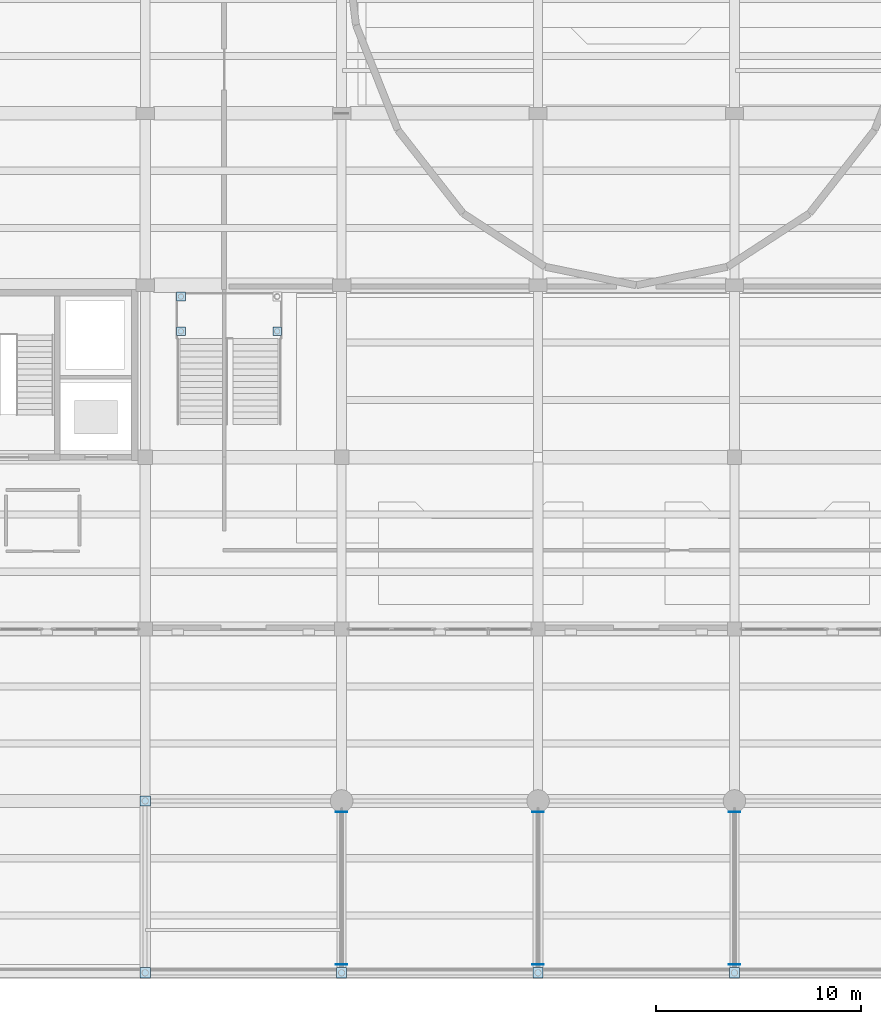
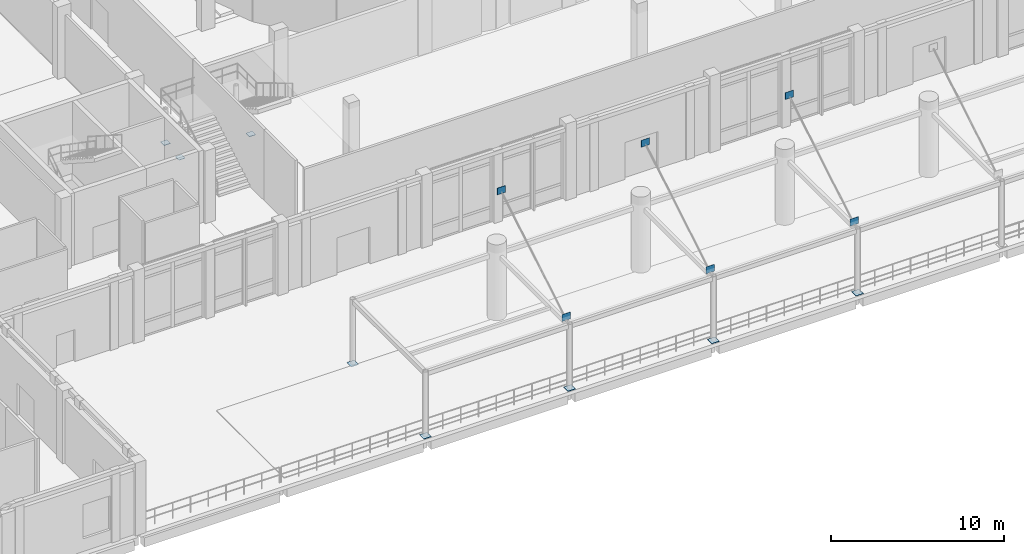
# One storey, part 44 of 71: 14 plates.
"""IFC4 building model written with IfcOpenShell, lengths in metres."""

from ifc_helpers import new_model, si_unit, direction, frame, origin, origin_2d, place, context, subcontext, project, spatial, rectangle, extrude, material, layer, layer_set, type_object, element, save


model = new_model("IFC4")

# Units and contexts
model_context = context("Model", 3, precision=1e-05, world=origin(), true_north=direction((0.0, 1.0)))
body_context = subcontext(model_context, "Body", "Model", "MODEL_VIEW")
ifc_project = project(units=[si_unit("LENGTHUNIT", "METRE"), si_unit("AREAUNIT", "SQUARE_METRE"), si_unit("VOLUMEUNIT", "CUBIC_METRE"), si_unit("PLANEANGLEUNIT", "RADIAN"), si_unit("MASSUNIT", "GRAM", prefix="KILO")], contexts=[model_context])

# Site, building, storey
site_placement = place(None, origin())
site = spatial("IfcSite", under=ifc_project, at=site_placement, CompositionType="ELEMENT")
building_placement = place(site_placement, origin())
building = spatial("IfcBuilding", under=site, at=building_placement, Name="Lornevale Opera House", CompositionType="ELEMENT")
storey_placement = place(building_placement, origin())
storey = spatial("IfcBuildingStorey", under=building, at=storey_placement, Name="L01", CompositionType="ELEMENT", Elevation=0.0)

# Plates
ifc_material = material(Name="Structural Steel CSA G40.21 Grade 350W (350 MPa)", Category="steel")
ifc_layer_1 = layer(ifc_material, 0.02001953125)
ifc_layer_set_1 = layer_set([ifc_layer_1], Name="Structural Steel CSA G40.21 Grade 350W (350 MPa)")
plate_type_1 = type_object("IfcPlateType", Name="Canopy Mast Anchor Plate 560x480x20", PredefinedType="USERDEFINED", material=ifc_layer_set_1)
for number, where, z_axis, x_axis, name in (
    (1, (67.199951171875, 0.39990234375, 4.56005859375), (0.0, 0.0, 1.0), (1.0, 0.0, 0.0), "Canopy Mast Anchor Plate PT-0001"),
    (2, (67.199951171875, 7.860107421875, 8.9599609375), (0.0, 0.0, 1.0), (1.0, 0.0, 0.0), "Canopy Mast Anchor Plate PT-0002"),
    (3, (76.800048828125, 0.39990234375, 4.56005859375), (0.0, 0.0, 1.0), (1.0, 0.0, 0.0), "Canopy Mast Anchor Plate PT-0003"),
    (4, (76.800048828125, 7.860107421875, 8.9599609375), (0.0, 0.0, 1.0), (1.0, 0.0, 0.0), "Canopy Mast Anchor Plate PT-0004"),
    (5, (86.39990234375, 0.39990234375, 4.56005859375), (0.0, 0.0, 1.0), (1.0, 0.0, 0.0), "Canopy Mast Anchor Plate PT-0005"),
    (6, (86.39990234375, 7.860107421875, 8.9599609375), (0.0, 0.0, 1.0), (1.0, 0.0, 0.0), "Canopy Mast Anchor Plate PT-0006"),
):
    element("IfcPlate", number, at=place(storey_placement, frame(where, z_axis=z_axis, x_axis=x_axis)), inside=storey, type_object=plate_type_1, Name=name, ObjectType="GUSSET PLATE", PredefinedType="USERDEFINED", context=body_context, shape_type="SweptSolid", body=[
        extrude(rectangle(XDim=0.56005859375, YDim=0.02001953125, at=origin_2d()), origin(), (0.0, 0.0, 1.0), 0.47998046875),
    ])
ifc_layer_2 = layer(ifc_material, 0.030029296875)
ifc_layer_set_2 = layer_set([ifc_layer_2], Name="Structural Steel CSA G40.21 Grade 350W (350 MPa)")
plate_type_2 = type_object("IfcPlateType", Name="Canopy Mast Base Plate 500x500x30", PredefinedType="USERDEFINED", material=ifc_layer_set_2)
for number, where, z_axis, x_axis, name in (
    (7, (57.60009765625, 0.0, 0.0), (0.0, 0.0, 1.0), (1.0, 0.0, 0.0), "Canopy Mast Base Plate PT-MB-0001"),
    (8, (67.199951171875, 0.0, 0.0), (0.0, 0.0, 1.0), (1.0, 0.0, 0.0), "Canopy Mast Base Plate PT-MB-0002"),
    (9, (76.800048828125, 0.0, 0.0), (0.0, 0.0, 1.0), (1.0, 0.0, 0.0), "Canopy Mast Base Plate PT-MB-0003"),
    (10, (86.39990234375, 0.0, 0.0), (0.0, 0.0, 1.0), (1.0, 0.0, 0.0), "Canopy Mast Base Plate PT-MB-0004"),
    (11, (57.60009765625, 8.39990234375, 0.0), (0.0, 0.0, 1.0), (1.0, 0.0, 0.0), "Canopy Mast Base Plate PT-MB-0007"),
):
    element("IfcPlate", number, at=place(storey_placement, frame(where, z_axis=z_axis, x_axis=x_axis)), inside=storey, type_object=plate_type_2, Name=name, ObjectType="GUSSET PLATE", PredefinedType="USERDEFINED", context=body_context, shape_type="SweptSolid", body=[
        extrude(rectangle(XDim=0.5, YDim=0.5, at=origin_2d()), origin(), (0.0, 0.0, 1.0), 0.030029296875),
    ])
ifc_layer_3 = layer(ifc_material, 0.028076171875)
ifc_layer_set_3 = layer_set([ifc_layer_3], Name="Structural Steel CSA G40.21 Grade 350W (350 MPa)")
plate_type_3 = type_object("IfcPlateType", Name="Ramp Mast Base Plate 420x420x28", PredefinedType="USERDEFINED", material=ifc_layer_set_3)
for number, where, z_axis, x_axis, name in (
    (12, (59.35009765625, 31.35009765625, 0.0), (0.0, 0.0, 1.0), (1.0, 0.0, 0.0), "Ramp Mast Base Plate PT-MB-0009"),
    (13, (59.35009765625, 33.050048828125, 0.0), (0.0, 0.0, 1.0), (1.0, 0.0, 0.0), "Ramp Mast Base Plate PT-MB-0011"),
    (14, (64.050048828125, 31.35009765625, 0.0), (0.0, 0.0, 1.0), (1.0, 0.0, 0.0), "Ramp Mast Base Plate PT-MB-0013"),
):
    element("IfcPlate", number, at=place(storey_placement, frame(where, z_axis=z_axis, x_axis=x_axis)), inside=storey, type_object=plate_type_3, Name=name, ObjectType="GUSSET PLATE", PredefinedType="USERDEFINED", context=body_context, shape_type="SweptSolid", body=[
        extrude(rectangle(XDim=0.419921875, YDim=0.419921875, at=origin_2d()), origin(), (0.0, 0.0, 1.0), 0.028076171875),
    ])

save(model, "model.ifc")
